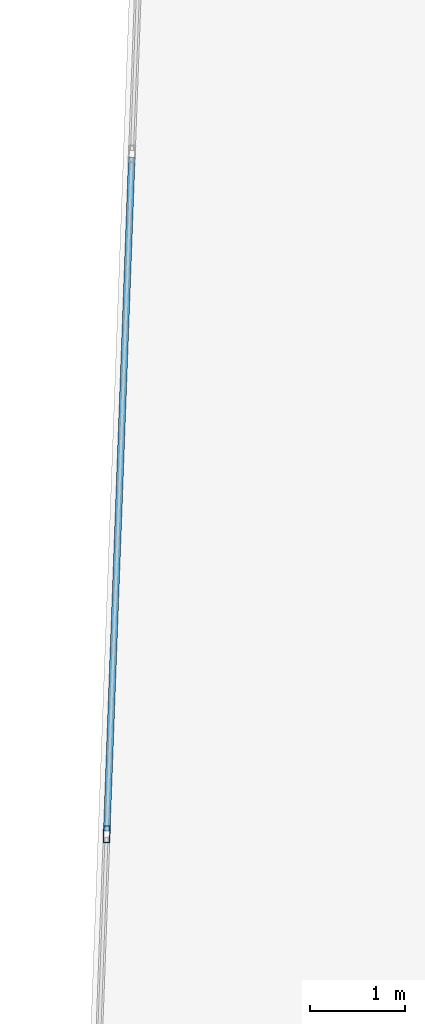
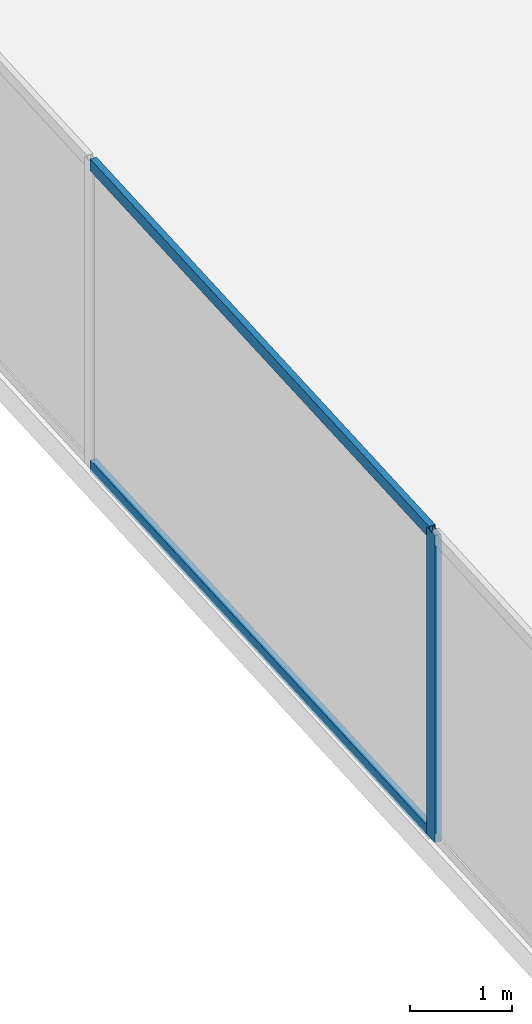
# One storey, part 10 of 30: 3 members, 1 element without a shape of its own.
"""IFC4 building model written with IfcOpenShell, lengths in metres."""

from ifc_helpers import new_model, si_unit, direction, frame, origin, origin_2d, place, context, subcontext, project, spatial, hollow_rectangle, extrude, source, transform, mapped, material, material_profile, profile_set, type_object, type_shapes, element, aggregate, save


model = new_model("IFC4")

# Units and contexts
model_context = context("Model", 3, precision=1e-05, world=origin(), true_north=direction((0.0, 1.0)))
body_context = subcontext(model_context, "Body", "Model", "MODEL_VIEW")
ifc_project = project(units=[si_unit("LENGTHUNIT", "METRE"), si_unit("AREAUNIT", "SQUARE_METRE"), si_unit("VOLUMEUNIT", "CUBIC_METRE"), si_unit("PLANEANGLEUNIT", "RADIAN"), si_unit("MASSUNIT", "GRAM", prefix="KILO")], contexts=[model_context])

# Site, building, storey
site_placement = place(None, origin())
site = spatial("IfcSite", under=ifc_project, at=site_placement, CompositionType="ELEMENT")
building_placement = place(site_placement, origin())
building = spatial("IfcBuilding", under=site, at=building_placement, Name="Krantzveldt Concourse Tower", CompositionType="ELEMENT")
storey_placement = place(building_placement, frame((0.0, 0.0, 36.85009765625)))
storey = spatial("IfcBuildingStorey", under=building, at=storey_placement, Name="L08", CompositionType="ELEMENT", Elevation=36.85009765625)

# Curtain wall, members
ifc_material = material(Name="Anodised aluminium 6063-T6", Category="aluminium")
curtain_wall_type = type_object("IfcCurtainWallType", Name="CW2", PredefinedType="USERDEFINED", material=ifc_material)
curtain_wall_placement = place(storey_placement, origin())
curtain_wall = element("IfcCurtainWall", 1, at=curtain_wall_placement, inside=storey, type_object=curtain_wall_type, Name="CW-L08-F01", ObjectType="UNITISED CURTAIN WALL", PredefinedType="USERDEFINED")
ifc_material_profile_1 = material_profile(ifc_material, hollow_rectangle(XDim=0.070068359375, YDim=0.179931640625, WallThickness=0.0048828125, at=origin_2d()), Name="Anodised aluminium 6063-T6", Category="aluminium")
ifc_profile_set_1 = profile_set([ifc_material_profile_1], Name="Anodised aluminium 6063-T6 - ALU-MULL 180x70x5")
member_type_1 = type_object("IfcMemberType", Name="CW-MUL-180", PredefinedType="MULLION", material=ifc_profile_set_1)
shared_shape_1 = source(origin(), body_context, "Body", "SweptSolid", [
    extrude(hollow_rectangle(XDim=0.070068359375, YDim=0.179931640625, WallThickness=0.0048828125, at=origin_2d()), origin(), (0.0, 0.0, 1.0), 3.669921875),
])
type_shapes(member_type_1, [shared_shape_1])
member_1_placement = place(storey_placement, frame((11.107177734375, 27.62353515625, 0.0), z_axis=(0.0, 0.0, 1.0), x_axis=(0.999312308986, -0.037079766834, 0.0)))
member_1 = element("IfcMember", 2, at=member_1_placement, type_object=member_type_1, Name="CW-Z12 mullion 4", PredefinedType="MULLION", context=body_context, shape_type="MappedRepresentation", body=[
    mapped(shared_shape_1, transform((0.0, 0.0, 0.0), x_axis=(1.0, 0.0, 0.0), y_axis=(0.0, 1.0, 0.0), z_axis=(0.0, 0.0, 1.0), scale=1.0)),
])
ifc_material_profile_2 = material_profile(ifc_material, hollow_rectangle(XDim=0.070068359375, YDim=0.139892578125, WallThickness=0.0048828125, at=origin_2d()), Name="Anodised aluminium 6063-T6", Category="aluminium")
ifc_profile_set_2 = profile_set([ifc_material_profile_2], Name="Anodised aluminium 6063-T6 - ALU-TRAN 140x70x5")
member_type_2 = type_object("IfcMemberType", Name="CW-TRN-150", PredefinedType="USERDEFINED", material=ifc_profile_set_2)
shared_shape_2 = source(origin(), body_context, "Body", "SweptSolid", [
    extrude(hollow_rectangle(XDim=0.070068359375, YDim=0.139892578125, WallThickness=0.0048828125, at=origin_2d()), origin(), (0.0, 0.0, 1.0), 7.0966796875),
])
type_shapes(member_type_2, [shared_shape_2])
member_2_placement = place(storey_placement, frame((11.37158203125, 34.75048828125, 0.034912109375), z_axis=(-0.037085459975, -0.999312097724, 0.0), x_axis=(0.999312097724, -0.037085459975, 0.0)))
member_2 = element("IfcMember", 3, at=member_2_placement, type_object=member_type_2, Name="CW-Z12 transom 3.1", ObjectType="TRANSOM", PredefinedType="USERDEFINED", context=body_context, shape_type="MappedRepresentation", body=[
    mapped(shared_shape_2, transform((0.0, 0.0, 0.0), x_axis=(1.0, 0.0, 0.0), y_axis=(0.0, 1.0, 0.0), z_axis=(0.0, 0.0, 1.0), scale=1.0)),
])
member_3_placement = place(storey_placement, frame((11.37158203125, 34.75048828125, 3.635009765625), z_axis=(-0.037085459975, -0.999312097724, 0.0), x_axis=(0.999312097724, -0.037085459975, 0.0)))
member_3 = element("IfcMember", 4, at=member_3_placement, type_object=member_type_2, Name="CW-Z12 transom 3.2", ObjectType="TRANSOM", PredefinedType="USERDEFINED", context=body_context, shape_type="MappedRepresentation", body=[
    mapped(shared_shape_2, transform((0.0, 0.0, 0.0), x_axis=(1.0, 0.0, 0.0), y_axis=(0.0, 1.0, 0.0), z_axis=(0.0, 0.0, 1.0), scale=1.0)),
])
aggregate(curtain_wall, [member_1, member_2, member_3])

save(model, "model.ifc")
